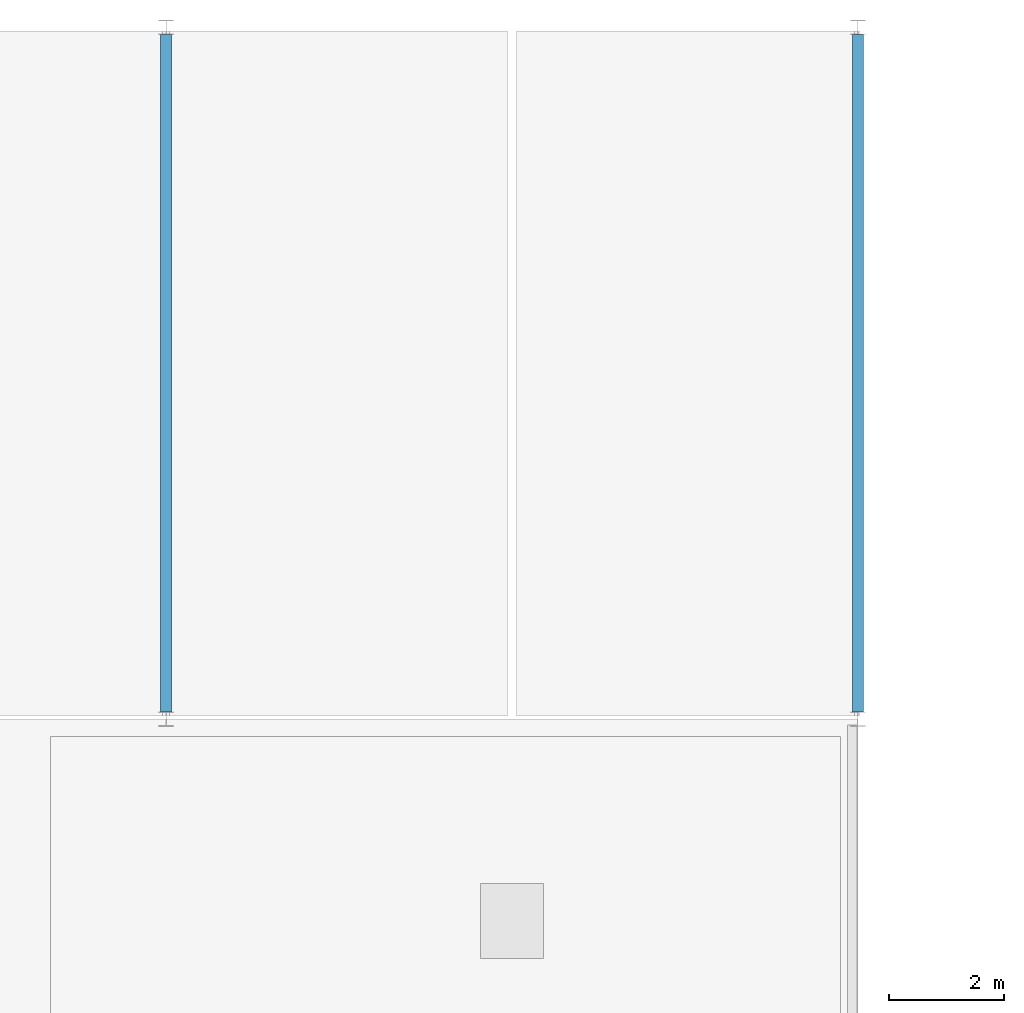
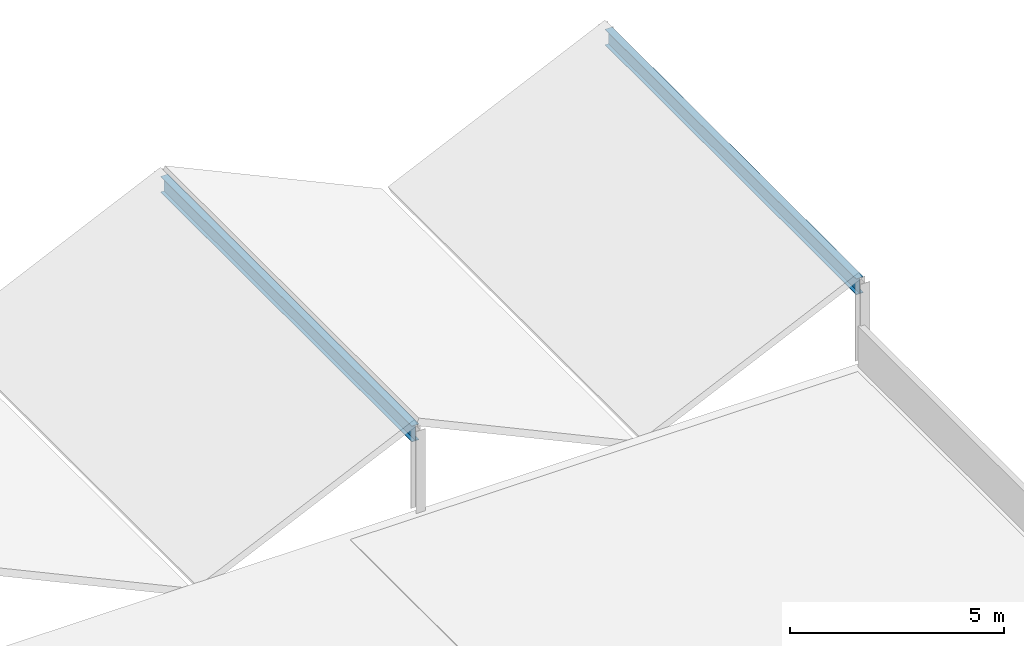
# One storey, part 58 of 83: 2 beams.
"""IFC4 building model written with IfcOpenShell, lengths in metres."""

from ifc_helpers import new_model, si_unit, direction, frame, origin, origin_2d, place, context, subcontext, project, spatial, i_section, extrude, material, material_profile, profile_set, type_object, element, save


model = new_model("IFC4")

# Units and contexts
model_context = context("Model", 3, precision=1e-05, world=origin(), true_north=direction((0.0, 1.0)))
body_context = subcontext(model_context, "Body", "Model", "MODEL_VIEW")
ifc_project = project(units=[si_unit("LENGTHUNIT", "METRE"), si_unit("AREAUNIT", "SQUARE_METRE"), si_unit("VOLUMEUNIT", "CUBIC_METRE"), si_unit("PLANEANGLEUNIT", "RADIAN"), si_unit("MASSUNIT", "GRAM", prefix="KILO")], contexts=[model_context])

# Site, building, storey
site_placement = place(None, origin())
site = spatial("IfcSite", under=ifc_project, at=site_placement, CompositionType="ELEMENT")
building_placement = place(site_placement, origin())
building = spatial("IfcBuilding", under=site, at=building_placement, Name="Pandanus Reach Market Hall", CompositionType="ELEMENT")
storey_placement = place(building_placement, frame((0.0, 0.0, 10.199951171875)))
storey = spatial("IfcBuildingStorey", under=building, at=storey_placement, Name="L02", CompositionType="ELEMENT", Elevation=10.199951171875)

# Beams
ifc_material = material(Name="Steel Grade 350 (350 MPa)", Category="steel")
ifc_material_profile = material_profile(ifc_material, i_section(OverallWidth=0.18994140625, OverallDepth=0.45703125, WebThickness=0.009033203125, FlangeThickness=0.014404296875, at=origin_2d()), Name="460UB74.6", Category="LoadBearing")
ifc_profile_set = profile_set([ifc_material_profile], Name="Steel Grade 350 (350 MPa)")
beam_type = type_object("IfcBeamType", Name="BM-UB460-E", PredefinedType="BEAM", material=ifc_profile_set)
for number, where, z_axis, x_axis, name in (
    (1, (132.0, 108.123046875, 2.110107421875), (0.0, 1.0, 0.0), (-1.0, 0.0, 0.0), "Butterfly shell ridge tie beam L02.11"),
    (2, (144.0, 108.123046875, 2.110107421875), (0.0, 1.0, 0.0), (-1.0, 0.0, 0.0), "Butterfly shell ridge tie beam L02.12"),
):
    element("IfcBeam", number, at=place(storey_placement, frame(where, z_axis=z_axis, x_axis=x_axis)), inside=storey, type_object=beam_type, Name=name, PredefinedType="BEAM", context=body_context, shape_type="SweptSolid", body=[
        extrude(i_section(OverallWidth=0.18994140625, OverallDepth=0.45703125, WebThickness=0.009033203125, FlangeThickness=0.014404296875, at=origin_2d()), origin(), (0.0, 0.0, 1.0), 11.75390625),
    ])

save(model, "model.ifc")
